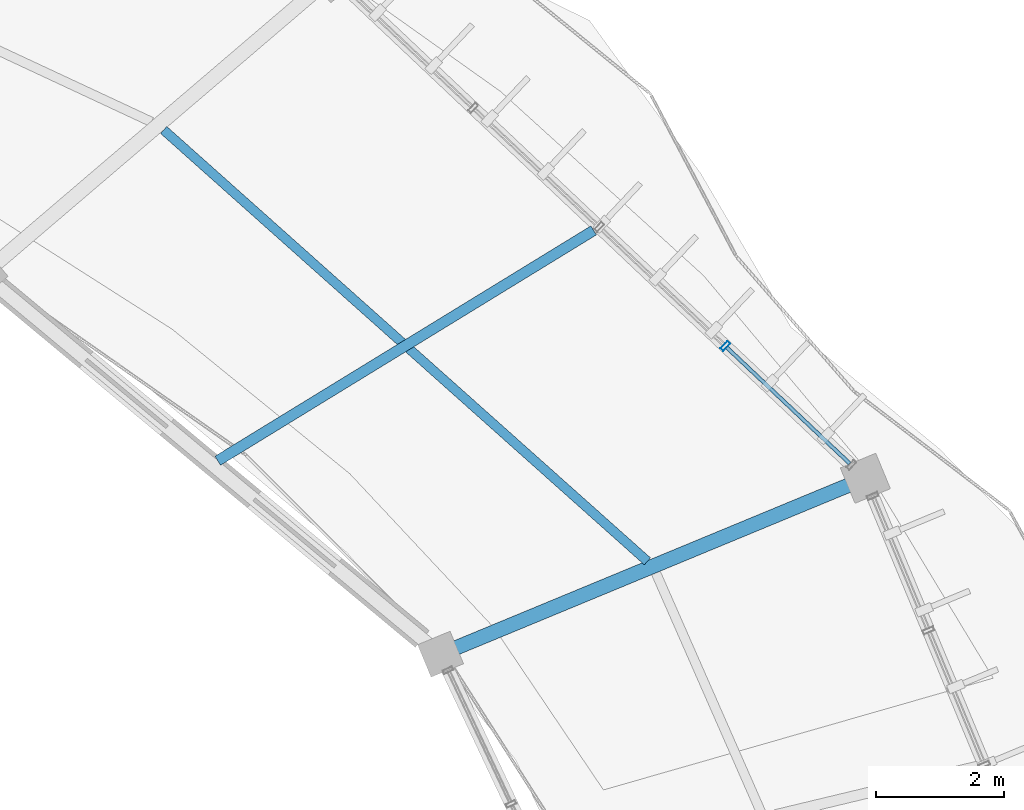
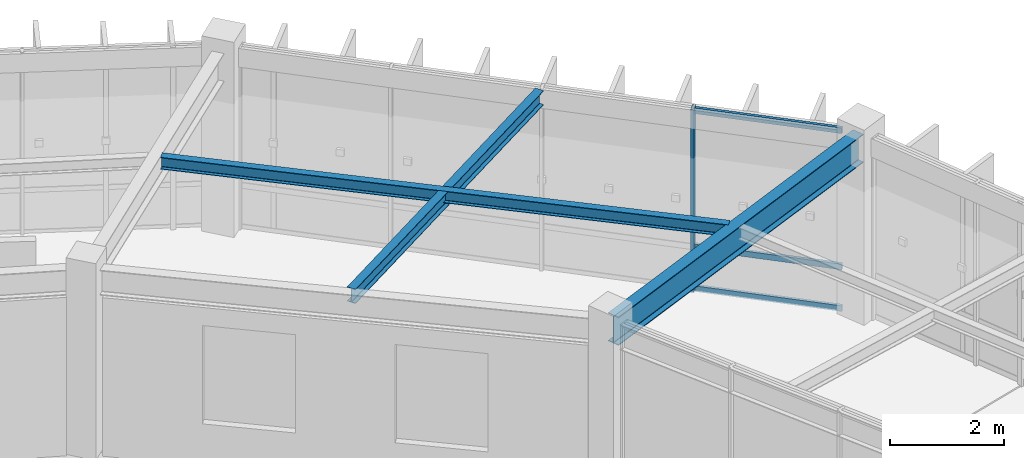
# One storey, part 59 of 83: 4 members, 3 beams, 1 element without a shape of its own.
"""IFC4 building model written with IfcOpenShell, lengths in metres."""

from ifc_helpers import new_model, si_unit, direction, frame, origin, origin_2d, place, context, subcontext, project, spatial, hollow_rectangle, i_section, extrude, material, material_profile, profile_set, type_object, element, aggregate, save


model = new_model("IFC4")

# Units and contexts
model_context = context("Model", 3, precision=1e-05, world=origin(), true_north=direction((0.0, 1.0)))
body_context = subcontext(model_context, "Body", "Model", "MODEL_VIEW")
ifc_project = project(units=[si_unit("LENGTHUNIT", "METRE"), si_unit("AREAUNIT", "SQUARE_METRE"), si_unit("VOLUMEUNIT", "CUBIC_METRE"), si_unit("PLANEANGLEUNIT", "RADIAN"), si_unit("MASSUNIT", "GRAM", prefix="KILO"), si_unit("THERMODYNAMICTEMPERATUREUNIT", "KELVIN"), si_unit("POWERUNIT", "WATT")], contexts=[model_context])

# Site, building, storey
site_placement = place(None, origin())
site = spatial("IfcSite", under=ifc_project, at=site_placement, CompositionType="ELEMENT")
building_placement = place(site_placement, origin())
building = spatial("IfcBuilding", under=site, at=building_placement, Name="Darbajah Civic Hall", CompositionType="ELEMENT")
storey_placement = place(building_placement, frame((0.0, 0.0, 18.0)))
storey = spatial("IfcBuildingStorey", under=building, at=storey_placement, Name="L04", CompositionType="ELEMENT", Elevation=18.0)

# Curtain wall, members
ifc_material_1 = material(Name="Anodised Bronze Aluminium and Low-E Glazing", Category="aluminium")
curtain_wall_type = type_object("IfcCurtainWallType", Name="Unitised Curtain Wall CW-63 10900x3900", PredefinedType="USERDEFINED", material=ifc_material_1)
curtain_wall_placement = place(storey_placement, origin())
curtain_wall = element("IfcCurtainWall", 1, at=curtain_wall_placement, inside=storey, type_object=curtain_wall_type, Name="L04 unitised curtain wall CW-V1O-L04-01", ObjectType="UNITISED CURTAIN WALL", PredefinedType="USERDEFINED")
ifc_material_2 = material(Name="Anodised Bronze Aluminium", Category="aluminium")
ifc_material_profile_1 = material_profile(ifc_material_2, hollow_rectangle(XDim=0.06005859375, YDim=0.159912109375, WallThickness=0.00341796875, at=origin_2d()), Name="ALU MULLION 60x160")
ifc_profile_set_1 = profile_set([ifc_material_profile_1], Name="Anodised Bronze Aluminium")
member_type_1 = type_object("IfcMemberType", Name="ALU MULLION 60x160", PredefinedType="MULLION", material=ifc_profile_set_1)
member_1_placement = place(storey_placement, frame((134.023681640625, 103.16015625, 0.0), z_axis=(0.0, 0.0, 1.0), x_axis=(-0.727173991201, 0.686453193248, 0.0)))
member_1 = element("IfcMember", 2, at=member_1_placement, type_object=member_type_1, Name="CW-V1O-L04-01 mullion 2", PredefinedType="MULLION", context=body_context, shape_type="SweptSolid", body=[
    extrude(hollow_rectangle(XDim=0.06005859375, YDim=0.159912109375, WallThickness=0.00341796875, at=origin_2d()), origin(), (0.0, 0.0, 1.0), 3.919921875),
])
ifc_material_profile_2 = material_profile(ifc_material_2, hollow_rectangle(XDim=0.06005859375, YDim=0.1201171875, WallThickness=0.003173828125, at=origin_2d()), Name="ALU TRANSOM 60x120")
ifc_profile_set_2 = profile_set([ifc_material_profile_2], Name="Anodised Bronze Aluminium")
member_type_2 = type_object("IfcMemberType", Name="ALU TRANSOM 60x120", PredefinedType="USERDEFINED", material=ifc_profile_set_2)
member_2_placement = place(storey_placement, frame((135.972900390625, 101.320556640625, 0.06005859375), z_axis=(-0.727210214166, 0.686414819488, 0.0), x_axis=(-0.686414819488, -0.727210214166, 0.0)))
member_2 = element("IfcMember", 3, at=member_2_placement, type_object=member_type_2, Name="CW-V1O-L04-01 transom 1.1", ObjectType="TRANSOM", PredefinedType="USERDEFINED", context=body_context, shape_type="SweptSolid", body=[
    extrude(hollow_rectangle(XDim=0.06005859375, YDim=0.1201171875, WallThickness=0.003173828125, at=origin_2d()), origin(), (0.0, 0.0, 1.0), 2.645263671875),
])
member_3_placement = place(storey_placement, frame((135.972900390625, 101.320556640625, 0.949951171875), z_axis=(-0.727210214166, 0.686414819488, 0.0), x_axis=(-0.686414819488, -0.727210214166, 0.0)))
member_3 = element("IfcMember", 4, at=member_3_placement, type_object=member_type_2, Name="CW-V1O-L04-01 transom 1.2", ObjectType="TRANSOM", PredefinedType="USERDEFINED", context=body_context, shape_type="SweptSolid", body=[
    extrude(hollow_rectangle(XDim=0.06005859375, YDim=0.1201171875, WallThickness=0.003173828125, at=origin_2d()), origin(), (0.0, 0.0, 1.0), 2.645263671875),
])
member_4_placement = place(storey_placement, frame((135.972900390625, 101.320556640625, 3.860107421875), z_axis=(-0.727210214166, 0.686414819488, 0.0), x_axis=(-0.686414819488, -0.727210214166, 0.0)))
member_4 = element("IfcMember", 5, at=member_4_placement, type_object=member_type_2, Name="CW-V1O-L04-01 transom 1.3", ObjectType="TRANSOM", PredefinedType="USERDEFINED", context=body_context, shape_type="SweptSolid", body=[
    extrude(hollow_rectangle(XDim=0.06005859375, YDim=0.1201171875, WallThickness=0.003173828125, at=origin_2d()), origin(), (0.0, 0.0, 1.0), 2.645263671875),
])
aggregate(curtain_wall, [member_1, member_2, member_3, member_4])

# Beams
ifc_material_3 = material(Name="Steel S355JR", Category="steel")
ifc_material_profile_3 = material_profile(ifc_material_3, i_section(OverallWidth=0.146484375, OverallDepth=0.256103515625, WebThickness=0.00634765625, FlangeThickness=0.010986328125, FilletRadius=0.007568359375, at=origin_2d()), Name="UB 254x146x37")
ifc_profile_set_3 = profile_set([ifc_material_profile_3], Name="Steel S355JR")
beam_type_1 = type_object("IfcBeamType", Name="UB 254x146x37", PredefinedType="JOIST", material=ifc_profile_set_3)
beam_1_placement = place(storey_placement, frame((132.805419921875, 99.788818359375, 3.7919921875), z_axis=(-0.746395859773, 0.665502231787, 0.0), x_axis=(-0.665502231787, -0.746395859773, 0.0)))
element("IfcBeam", 6, at=beam_1_placement, inside=storey, type_object=beam_type_1, Name="L04 beam SJ-254", PredefinedType="JOIST", context=body_context, shape_type="SweptSolid", body=[
    extrude(i_section(OverallWidth=0.146484375, OverallDepth=0.256103515625, WebThickness=0.00634765625, FlangeThickness=0.010986328125, FilletRadius=0.007568359375, at=origin_2d()), origin(), (0.0, 0.0, 1.0), 10.149658203125),
])
ifc_material_profile_4 = material_profile(ifc_material_3, i_section(OverallWidth=0.165771484375, OverallDepth=0.306640625, WebThickness=0.006591796875, FlangeThickness=0.01171875, FilletRadius=0.0087890625, at=origin_2d()), Name="UB 305x165x46")
ifc_profile_set_4 = profile_set([ifc_material_profile_4], Name="Steel S355JR")
beam_type_2 = type_object("IfcBeamType", Name="UB 305x165x46", PredefinedType="JOIST", material=ifc_profile_set_4)
beam_2_placement = place(storey_placement, frame((126.076171875, 101.363525390625, 3.7666015625), z_axis=(0.852634287744, 0.522508154351, 0.0), x_axis=(-0.522508154351, 0.852634287744, 0.0)))
element("IfcBeam", 7, at=beam_2_placement, inside=storey, type_object=beam_type_2, Name="L04 beam SJ-305", PredefinedType="JOIST", context=body_context, shape_type="SweptSolid", body=[
    extrude(i_section(OverallWidth=0.165771484375, OverallDepth=0.306640625, WebThickness=0.006591796875, FlangeThickness=0.01171875, FilletRadius=0.0087890625, at=origin_2d()), origin(), (0.0, 0.0, 1.0), 6.903564453125),
])
ifc_material_profile_5 = material_profile(ifc_material_3, i_section(OverallWidth=0.228271484375, OverallDepth=0.607666015625, WebThickness=0.010986328125, FlangeThickness=0.017333984375, FilletRadius=0.0126953125, at=origin_2d()), Name="UB 610x229x113")
ifc_profile_set_5 = profile_set([ifc_material_profile_5], Name="Steel S355JR")
beam_type_3 = type_object("IfcBeamType", Name="UB 610x229x113", PredefinedType="BEAM", material=ifc_profile_set_5)
beam_3_placement = place(storey_placement, frame((129.639892578125, 98.364501953125, 3.6162109375), z_axis=(0.923880311259, 0.382681552297, 0.0), x_axis=(-0.382681552297, 0.923880311259, 0.0)))
element("IfcBeam", 8, at=beam_3_placement, inside=storey, type_object=beam_type_3, Name="L04 beam SB-610", PredefinedType="BEAM", context=body_context, shape_type="SweptSolid", body=[
    extrude(i_section(OverallWidth=0.228271484375, OverallDepth=0.607666015625, WebThickness=0.010986328125, FlangeThickness=0.017333984375, FilletRadius=0.0126953125, at=origin_2d()), origin(), (0.0, 0.0, 1.0), 7.0400390625),
])

save(model, "model.ifc")
